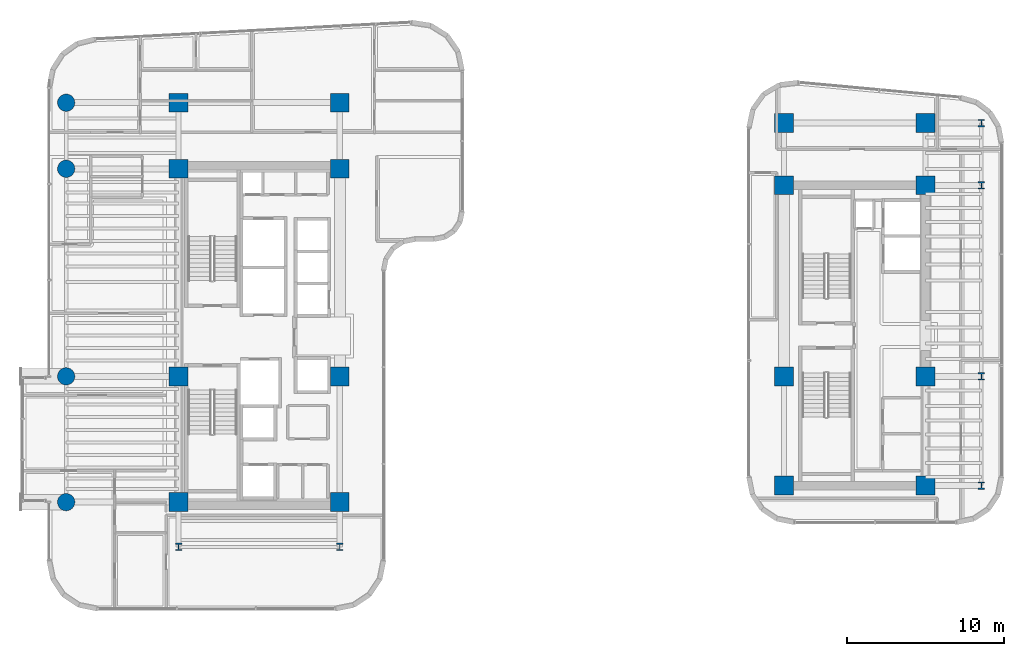
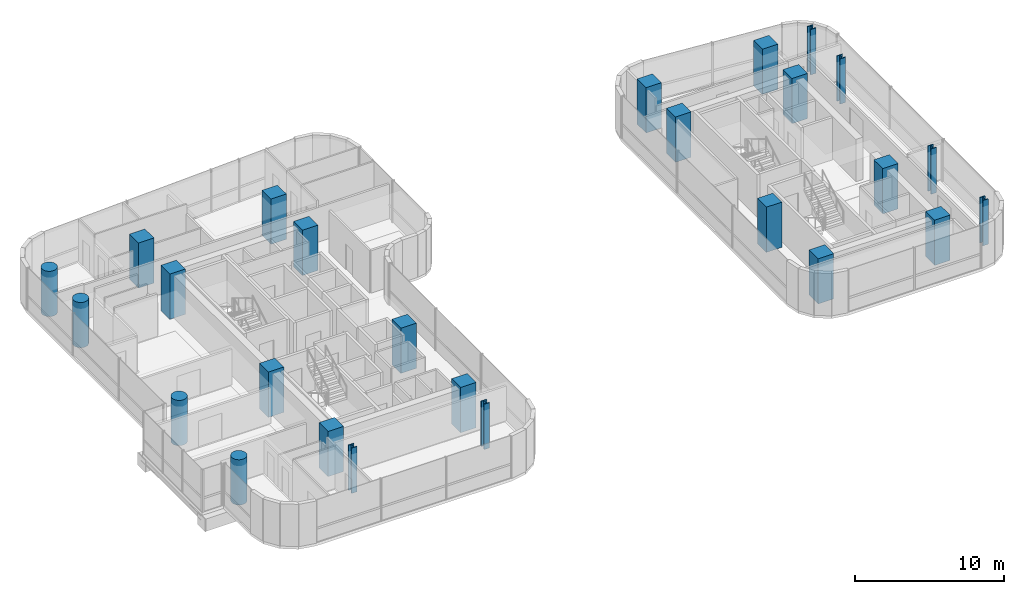
# One storey, part 1 of 34: 26 columns.
"""IFC4 building model written with IfcOpenShell, lengths in metres."""

from ifc_helpers import new_model, si_unit, direction, frame, origin, origin_2d, place, context, subcontext, project, spatial, rectangle, circle, i_section, extrude, source, transform, mapped, material, material_profile, profile_set, type_object, element, save


model = new_model("IFC4")

# Units and contexts
model_context = context("Model", 3, precision=1e-05, world=origin(), true_north=direction((0.0, 1.0)))
body_context = subcontext(model_context, "Body", "Model", "MODEL_VIEW")
ifc_project = project(units=[si_unit("LENGTHUNIT", "METRE"), si_unit("AREAUNIT", "SQUARE_METRE"), si_unit("VOLUMEUNIT", "CUBIC_METRE"), si_unit("PLANEANGLEUNIT", "RADIAN"), si_unit("MASSUNIT", "GRAM", prefix="KILO")], contexts=[model_context])

# Site, building, storey
site_placement = place(None, origin())
site = spatial("IfcSite", under=ifc_project, at=site_placement, CompositionType="ELEMENT")
building_placement = place(site_placement, origin())
building = spatial("IfcBuilding", under=site, at=building_placement, Name="Valdorenza Pilgrim Sanctuary Tower", CompositionType="ELEMENT")
storey_placement = place(building_placement, frame((0.0, 0.0, 161.199951171875)))
storey = spatial("IfcBuildingStorey", under=building, at=storey_placement, Name="L41", CompositionType="ELEMENT", Elevation=161.199951171875)

# Columns
ifc_material_1 = material(Name="Concrete C50/60", Category="concrete")
ifc_material_profile_1 = material_profile(ifc_material_1, circle(Radius=0.550048828125, at=origin_2d()), Name="RC D1100")
ifc_profile_set_1 = profile_set([ifc_material_profile_1], Name="Concrete C50/60")
column_type_1 = type_object("IfcColumnType", Name="COL-RND-1100", PredefinedType="COLUMN", material=ifc_profile_set_1)
shared_shape_1 = source(origin(), body_context, "Body", "SweptSolid", [
    extrude(circle(Radius=0.550048828125, at=origin_2d()), origin(), (0.0, 0.0, 1.0), 3.699951171875),
])
for number, where, z_axis, x_axis, name in (
    (1, (-29.800048828125, -10.60009765625, 0.0), (0.0, 0.0, 1.0), (1.0, 0.0, 0.0), "L41 Perimeter Column WA-W-S1"),
    (2, (-29.800048828125, -2.60009765625, 0.0), (0.0, 0.0, 1.0), (1.0, 0.0, 0.0), "L41 Perimeter Column WA-W-M0"),
    (3, (-29.800048828125, 10.60009765625, 0.0), (0.0, 0.0, 1.0), (1.0, 0.0, 0.0), "L41 Perimeter Column WA-W-N1"),
    (4, (-29.800048828125, 14.800048828125, 0.0), (0.0, 0.0, 1.0), (1.0, 0.0, 0.0), "L41 Perimeter Column WA-W-N2"),
):
    element("IfcColumn", number, at=place(storey_placement, frame(where, z_axis=z_axis, x_axis=x_axis)), inside=storey, type_object=column_type_1, Name=name, PredefinedType="COLUMN", context=body_context, shape_type="MappedRepresentation", body=[
        mapped(shared_shape_1, transform((0.0, 0.0, 0.0), x_axis=(1.0, 0.0, 0.0), y_axis=(0.0, 1.0, 0.0), z_axis=(0.0, 0.0, 1.0), scale=1.0)),
    ])
ifc_material_2 = material(Name="Concrete C60/75", Category="concrete")
ifc_material_profile_2 = material_profile(ifc_material_2, rectangle(XDim=1.199951171875, YDim=1.199951171875, at=origin_2d()), Name="RC 1200x1200")
ifc_profile_set_2 = profile_set([ifc_material_profile_2], Name="Concrete C60/75")
column_type_2 = type_object("IfcColumnType", Name="COL-Z2-1200", PredefinedType="COLUMN", material=ifc_profile_set_2)
shared_shape_2 = source(origin(), body_context, "Body", "SweptSolid", [
    extrude(rectangle(XDim=1.199951171875, YDim=1.199951171875, at=origin_2d()), origin(), (0.0, 0.0, 1.0), 3.699951171875),
])
for number, where, z_axis, x_axis, name in (
    (5, (-22.64990234375, -10.60009765625, 0.0), (0.0, 0.0, 1.0), (1.0, 0.0, 0.0), "L41 Column CA-W-S1"),
    (6, (-12.39990234375, -10.60009765625, 0.0), (0.0, 0.0, 1.0), (1.0, 0.0, 0.0), "L41 Column CA-E-S1"),
    (7, (-22.64990234375, -2.60009765625, 0.0), (0.0, 0.0, 1.0), (1.0, 0.0, 0.0), "L41 Column CA-W-M0"),
    (8, (-12.39990234375, -2.60009765625, 0.0), (0.0, 0.0, 1.0), (1.0, 0.0, 0.0), "L41 Column CA-E-M0"),
    (9, (-22.64990234375, 10.60009765625, 0.0), (0.0, 0.0, 1.0), (1.0, 0.0, 0.0), "L41 Column CA-W-N1"),
    (10, (-12.39990234375, 10.60009765625, 0.0), (0.0, 0.0, 1.0), (1.0, 0.0, 0.0), "L41 Column CA-E-N1"),
    (11, (-22.64990234375, 14.800048828125, 0.0), (0.0, 0.0, 1.0), (1.0, 0.0, 0.0), "L41 Column CA-W-N2"),
    (12, (-12.39990234375, 14.800048828125, 0.0), (0.0, 0.0, 1.0), (1.0, 0.0, 0.0), "L41 Column CA-E-N2"),
    (13, (15.85009765625, -9.550048828125, 0.0), (0.0, 0.0, 1.0), (1.0, 0.0, 0.0), "L41 Column CB-W-S1"),
    (14, (24.85009765625, -9.550048828125, 0.0), (0.0, 0.0, 1.0), (1.0, 0.0, 0.0), "L41 Column CB-E-S1"),
    (15, (15.85009765625, -2.60009765625, 0.0), (0.0, 0.0, 1.0), (1.0, 0.0, 0.0), "L41 Column CB-W-M0"),
    (16, (24.85009765625, -2.60009765625, 0.0), (0.0, 0.0, 1.0), (1.0, 0.0, 0.0), "L41 Column CB-E-M0"),
    (17, (15.85009765625, 9.550048828125, 0.0), (0.0, 0.0, 1.0), (1.0, 0.0, 0.0), "L41 Column CB-W-N1"),
    (18, (24.85009765625, 9.550048828125, 0.0), (0.0, 0.0, 1.0), (1.0, 0.0, 0.0), "L41 Column CB-E-N1"),
    (19, (15.85009765625, 13.5, 0.0), (0.0, 0.0, 1.0), (1.0, 0.0, 0.0), "L41 Column CB-W-N2"),
    (20, (24.85009765625, 13.5, 0.0), (0.0, 0.0, 1.0), (1.0, 0.0, 0.0), "L41 Column CB-E-N2"),
):
    element("IfcColumn", number, at=place(storey_placement, frame(where, z_axis=z_axis, x_axis=x_axis)), inside=storey, type_object=column_type_2, Name=name, PredefinedType="COLUMN", context=body_context, shape_type="MappedRepresentation", body=[
        mapped(shared_shape_2, transform((0.0, 0.0, 0.0), x_axis=(1.0, 0.0, 0.0), y_axis=(0.0, 1.0, 0.0), z_axis=(0.0, 0.0, 1.0), scale=1.0)),
    ])
ifc_material_3 = material(Name="Steel ASTM A992 Grade 50", Category="steel")
ifc_material_profile_3 = material_profile(ifc_material_3, i_section(OverallWidth=0.424072265625, OverallDepth=0.47412109375, WebThickness=0.047607421875, FlangeThickness=0.0771484375, at=origin_2d()), Name="W14X426")
ifc_profile_set_3 = profile_set([ifc_material_profile_3], Name="Steel ASTM A992 Grade 50")
column_type_3 = type_object("IfcColumnType", Name="COL-STL-W426", PredefinedType="COLUMN", material=ifc_profile_set_3)
shared_shape_3 = source(origin(), body_context, "Body", "SweptSolid", [
    extrude(i_section(OverallWidth=0.424072265625, OverallDepth=0.47412109375, WebThickness=0.047607421875, FlangeThickness=0.0771484375, at=origin_2d()), origin(), (0.0, 0.0, 1.0), 3.699951171875),
])
for number, where, z_axis, x_axis, name in (
    (21, (-22.64990234375, -13.449951171875, 0.0), (0.0, 0.0, 1.0), (1.0, 0.0, 0.0), "L41 Column WA-S-W"),
    (22, (-12.39990234375, -13.449951171875, 0.0), (0.0, 0.0, 1.0), (1.0, 0.0, 0.0), "L41 Column WA-S-E"),
    (23, (28.39990234375, -9.550048828125, 0.0), (0.0, 0.0, 1.0), (1.0, 0.0, 0.0), "L41 Perimeter Column WB-E-S1"),
    (24, (28.39990234375, -2.60009765625, 0.0), (0.0, 0.0, 1.0), (1.0, 0.0, 0.0), "L41 Perimeter Column WB-E-M0"),
    (25, (28.39990234375, 9.550048828125, 0.0), (0.0, 0.0, 1.0), (1.0, 0.0, 0.0), "L41 Perimeter Column WB-E-N1"),
    (26, (28.39990234375, 13.5, 0.0), (0.0, 0.0, 1.0), (1.0, 0.0, 0.0), "L41 Perimeter Column WB-E-N2"),
):
    element("IfcColumn", number, at=place(storey_placement, frame(where, z_axis=z_axis, x_axis=x_axis)), inside=storey, type_object=column_type_3, Name=name, PredefinedType="COLUMN", context=body_context, shape_type="MappedRepresentation", body=[
        mapped(shared_shape_3, transform((0.0, 0.0, 0.0), x_axis=(1.0, 0.0, 0.0), y_axis=(0.0, 1.0, 0.0), z_axis=(0.0, 0.0, 1.0), scale=1.0)),
    ])

save(model, "model.ifc")
